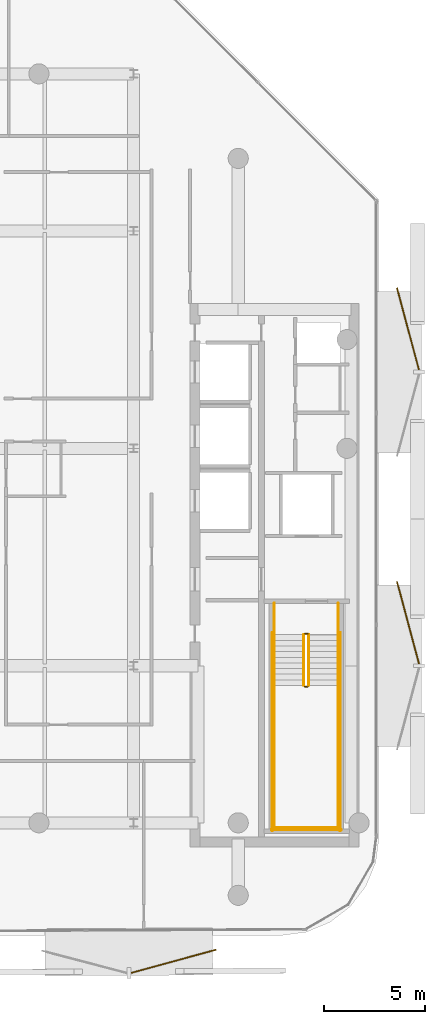
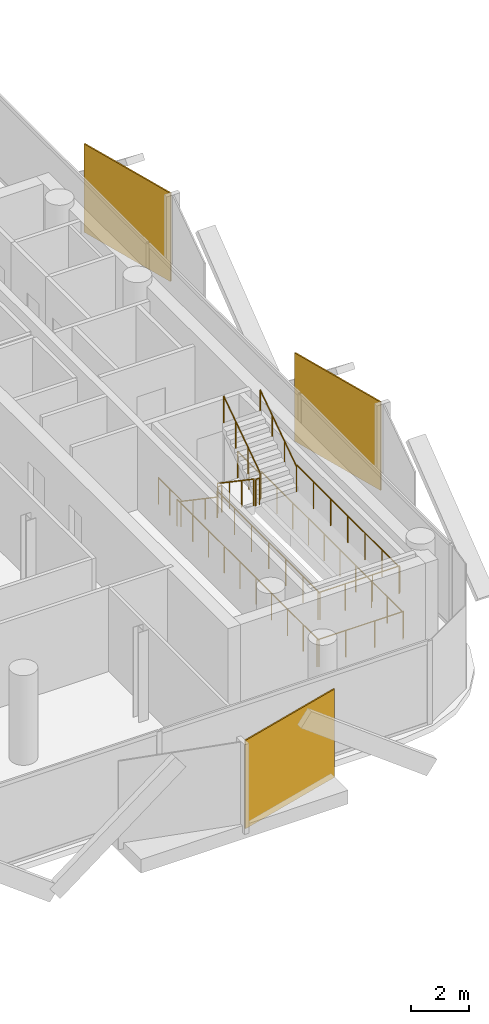
# One storey, part 14 of 15: 14 railings, 3 coverings.
"""IFC4 building model written with IfcOpenShell, lengths in metres."""

from ifc_helpers import new_model, si_unit, direction, frame, origin, origin_2d, place, context, subcontext, project, spatial, rectangle, circle, extrude, material, layer, layer_set, type_object, element, save


model = new_model("IFC4")

# Units and contexts
model_context = context("Model", 3, precision=1e-05, world=origin(), true_north=direction((0.0, 1.0)))
body_context = subcontext(model_context, "Body", "Model", "MODEL_VIEW")
ifc_project = project(units=[si_unit("LENGTHUNIT", "METRE"), si_unit("AREAUNIT", "SQUARE_METRE"), si_unit("VOLUMEUNIT", "CUBIC_METRE"), si_unit("PLANEANGLEUNIT", "RADIAN"), si_unit("MASSUNIT", "GRAM", prefix="KILO")], contexts=[model_context])

# Site, building, storey
site_placement = place(None, origin())
site = spatial("IfcSite", under=ifc_project, at=site_placement, CompositionType="ELEMENT")
building_placement = place(site_placement, origin())
building = spatial("IfcBuilding", under=site, at=building_placement, Name="Khairoan Windgate Tower", CompositionType="ELEMENT")
storey_placement = place(building_placement, frame((0.0, 0.0, 289.0)))
storey = spatial("IfcBuildingStorey", under=building, at=storey_placement, Name="L69", CompositionType="ELEMENT", Elevation=289.0)

# Coverings
ifc_material_1 = material(Name="Anodised Bronze Aluminium 6063-T6", Category="aluminium")
ifc_layer = layer(ifc_material_1, 0.054931640625, Name="Anodised Bronze Aluminium 6063-T6")
ifc_layer_set = layer_set([ifc_layer], Name="Anodised Bronze Aluminium 6063-T6")
covering_type = type_object("IfcCoveringType", Name="Perforated Bronze-Ceramic Folded Solar Screen Cladding BSC-1", PredefinedType="CLADDING", material=ifc_layer_set)
covering_placement = place(storey_placement, frame((11.18115234375, -25.481201171875, -0.10009765625), z_axis=(0.0, 0.0, 1.0), x_axis=(-0.964603458302, -0.263704698919, 0.0)))
element("IfcCovering", 1, at=covering_placement, inside=storey, type_object=covering_type, Name="L69 Folded Bronze Solar Screen Facet 478L", PredefinedType="CLADDING", context=body_context, shape_type="SweptSolid", body=[
    extrude(rectangle(XDim=4.389892578125, YDim=0.054931640625, at=origin_2d()), origin(), (0.0, 0.0, 1.0), 3.739990234375),
])
for number, where, z_axis, x_axis, name in (
    (2, (22.83251953125, 5.921630859375, -0.10009765625), (0.0, 0.0, 1.0), (0.258819045103, -0.965925826289, 0.0), "L69 Folded Bronze Solar Screen Facet 484L"),
    (3, (22.83251953125, -8.664794921875, -0.10009765625), (0.0, 0.0, 1.0), (0.258819045103, -0.965925826289, 0.0), "L69 Folded Bronze Solar Screen Facet 485L"),
):
    element("IfcCovering", number, at=place(storey_placement, frame(where, z_axis=z_axis, x_axis=x_axis)), inside=storey, type_object=covering_type, Name=name, PredefinedType="CLADDING", context=body_context, shape_type="SweptSolid", body=[
        extrude(rectangle(XDim=4.22998046875, YDim=0.054931640625, at=origin_2d()), origin(), (0.0, 0.0, 1.0), 3.739990234375),
    ])

# Railings
ifc_material_2 = material(Name="Anodised Bronze Aluminium 6063-T6", Category="aluminium")
railing_type_1 = type_object("IfcRailingType", Name="Stair Wall Handrail SHR-900", PredefinedType="HANDRAIL", material=ifc_material_2)
railing_1_placement = place(storey_placement, frame((16.199951171875, -9.260009765625, 0.18994140625)))
element("IfcRailing", 4, at=railing_1_placement, inside=storey, type_object=railing_type_1, Name="L69 ST1 stair handrail 1", PredefinedType="HANDRAIL", context=body_context, shape_type="SweptSolid", body=[
    extrude(circle(Radius=0.02392578125, at=origin_2d()), frame((0.0, 0.0, 0.8759765625), z_axis=(0.0, -0.827483756001, 0.561489655786), x_axis=(1.0, 0.0, 0.0)), (0.0, 0.0, 1.0), 3.04541015625),
    extrude(circle(Radius=0.02099609375, at=origin_2d()), origin(), (0.0, 0.0, 1.0), 0.851806640625),
    extrude(circle(Radius=0.02099609375, at=origin_2d()), frame((0.0, -0.840087890625, 0.570068359375)), (0.0, 0.0, 1.0), 0.851806640625),
    extrude(circle(Radius=0.02099609375, at=origin_2d()), frame((0.0, -1.679931640625, 1.139892578125)), (0.0, 0.0, 1.0), 0.851806640625),
    extrude(circle(Radius=0.02099609375, at=origin_2d()), frame((0.0, -2.52001953125, 1.7099609375)), (0.0, 0.0, 1.0), 0.851806640625),
])
railing_2_placement = place(storey_placement, frame((19.3701171875, -11.780029296875, 2.090087890625)))
element("IfcRailing", 5, at=railing_2_placement, inside=storey, type_object=railing_type_1, Name="L69 ST1 stair handrail 2", PredefinedType="HANDRAIL", context=body_context, shape_type="SweptSolid", body=[
    extrude(circle(Radius=0.02392578125, at=origin_2d()), frame((0.0, 0.0, 0.8759765625), z_axis=(0.0, 0.827483756001, 0.561489655786), x_axis=(-1.0, 0.0, 0.0)), (0.0, 0.0, 1.0), 3.04541015625),
    extrude(circle(Radius=0.02099609375, at=origin_2d()), origin(), (0.0, 0.0, 1.0), 0.851806640625),
    extrude(circle(Radius=0.02099609375, at=origin_2d()), frame((0.0, 0.840087890625, 0.570068359375)), (0.0, 0.0, 1.0), 0.851806640625),
    extrude(circle(Radius=0.02099609375, at=origin_2d()), frame((0.0, 1.679931640625, 1.139892578125)), (0.0, 0.0, 1.0), 0.851806640625),
    extrude(circle(Radius=0.02099609375, at=origin_2d()), frame((0.0, 2.52001953125, 1.7099609375)), (0.0, 0.0, 1.0), 0.851806640625),
])
ifc_material_3 = material(Name="Steel S355", Category="steel")
railing_type_2 = type_object("IfcRailingType", Name="Stairwell Safety Guardrail SGR-1150", PredefinedType="GUARDRAIL", material=ifc_material_3)
railing_3_placement = place(storey_placement, frame((17.659912109375, -9.260009765625, 0.18994140625)))
element("IfcRailing", 6, at=railing_3_placement, inside=storey, type_object=railing_type_2, Name="L69 ST1 stair guard 1", PredefinedType="GUARDRAIL", context=body_context, shape_type="SweptSolid", body=[
    extrude(circle(Radius=0.02392578125, at=origin_2d()), frame((0.0, 0.0, 1.1259765625), z_axis=(0.0, -0.827483756001, 0.561489655786), x_axis=(1.0, 0.0, 0.0)), (0.0, 0.0, 1.0), 3.04541015625),
    extrude(circle(Radius=0.02099609375, at=origin_2d()), origin(), (0.0, 0.0, 1.0), 1.101806640625),
    extrude(circle(Radius=0.02099609375, at=origin_2d()), frame((0.0, -0.840087890625, 0.570068359375)), (0.0, 0.0, 1.0), 1.101806640625),
    extrude(circle(Radius=0.02099609375, at=origin_2d()), frame((0.0, -1.679931640625, 1.139892578125)), (0.0, 0.0, 1.0), 1.101806640625),
    extrude(circle(Radius=0.02099609375, at=origin_2d()), frame((0.0, -2.52001953125, 1.7099609375)), (0.0, 0.0, 1.0), 1.101806640625),
])
railing_4_placement = place(storey_placement, frame((17.7099609375, -11.830078125, 1.89990234375)))
element("IfcRailing", 7, at=railing_4_placement, inside=storey, type_object=railing_type_2, Name="L69 ST1 stair guard 2", PredefinedType="GUARDRAIL", context=body_context, shape_type="SweptSolid", body=[
    extrude(circle(Radius=0.02392578125, at=origin_2d()), frame((0.0, 0.0, 1.1259765625), z_axis=(1.0, 0.0, 0.0), x_axis=(0.0, 1.0, 0.0)), (0.0, 0.0, 1.0), 0.150146484375),
    extrude(circle(Radius=0.02099609375, at=origin_2d()), origin(), (0.0, 0.0, 1.0), 1.101806640625),
    extrude(circle(Radius=0.02099609375, at=origin_2d()), frame((0.150146484375, 0.0, 0.0)), (0.0, 0.0, 1.0), 1.101806640625),
])
for number, where, name in (
    (8, (16.199951171875, -11.780029296875, 1.89990234375), "L69 ST1 stair guard 3"),
    (9, (19.3701171875, -11.780029296875, 1.89990234375), "L69 ST1 stair guard 4"),
):
    element("IfcRailing", number, at=place(storey_placement, frame(where)), inside=storey, type_object=railing_type_2, Name=name, PredefinedType="GUARDRAIL", context=body_context, shape_type="SweptSolid", body=[
        extrude(circle(Radius=0.02392578125, at=origin_2d()), frame((0.0, 0.0, 1.1259765625), z_axis=(0.0, -1.0, 0.0), x_axis=(1.0, 0.0, 0.0)), (0.0, 0.0, 1.0), 7.119873046875),
        extrude(circle(Radius=0.02099609375, at=origin_2d()), origin(), (0.0, 0.0, 1.0), 1.101806640625),
        extrude(circle(Radius=0.02099609375, at=origin_2d()), frame((0.0, -1.1865234375, 0.0)), (0.0, 0.0, 1.0), 1.101806640625),
        extrude(circle(Radius=0.02099609375, at=origin_2d()), frame((0.0, -2.373291015625, 0.0)), (0.0, 0.0, 1.0), 1.101806640625),
        extrude(circle(Radius=0.02099609375, at=origin_2d()), frame((0.0, -3.56005859375, 0.0)), (0.0, 0.0, 1.0), 1.101806640625),
        extrude(circle(Radius=0.02099609375, at=origin_2d()), frame((0.0, -4.74658203125, 0.0)), (0.0, 0.0, 1.0), 1.101806640625),
        extrude(circle(Radius=0.02099609375, at=origin_2d()), frame((0.0, -5.93310546875, 0.0)), (0.0, 0.0, 1.0), 1.101806640625),
        extrude(circle(Radius=0.02099609375, at=origin_2d()), frame((0.0, -7.119873046875, 0.0)), (0.0, 0.0, 1.0), 1.101806640625),
    ])
railing_5_placement = place(storey_placement, frame((16.14990234375, -18.85009765625, 1.89990234375)))
element("IfcRailing", 10, at=railing_5_placement, inside=storey, type_object=railing_type_2, Name="L69 ST1 stair guard 5", PredefinedType="GUARDRAIL", context=body_context, shape_type="SweptSolid", body=[
    extrude(circle(Radius=0.02392578125, at=origin_2d()), frame((0.0, 0.0, 1.1259765625), z_axis=(1.0, 0.0, 0.0), x_axis=(0.0, 1.0, 0.0)), (0.0, 0.0, 1.0), 3.27001953125),
    extrude(circle(Radius=0.02099609375, at=origin_2d()), origin(), (0.0, 0.0, 1.0), 1.101806640625),
    extrude(circle(Radius=0.02099609375, at=origin_2d()), frame((1.090087890625, 0.0, 0.0)), (0.0, 0.0, 1.0), 1.101806640625),
    extrude(circle(Radius=0.02099609375, at=origin_2d()), frame((2.179931640625, 0.0, 0.0)), (0.0, 0.0, 1.0), 1.101806640625),
    extrude(circle(Radius=0.02099609375, at=origin_2d()), frame((3.27001953125, 0.0, 0.0)), (0.0, 0.0, 1.0), 1.101806640625),
])
railing_6_placement = place(storey_placement, frame((17.909912109375, -11.780029296875, 2.090087890625)))
element("IfcRailing", 11, at=railing_6_placement, inside=storey, type_object=railing_type_2, Name="L69 ST1 stair guard 6", PredefinedType="GUARDRAIL", context=body_context, shape_type="SweptSolid", body=[
    extrude(circle(Radius=0.02392578125, at=origin_2d()), frame((0.0, 0.0, 1.1259765625), z_axis=(0.0, 0.827483756001, 0.561489655786), x_axis=(-1.0, 0.0, 0.0)), (0.0, 0.0, 1.0), 3.04541015625),
    extrude(circle(Radius=0.02099609375, at=origin_2d()), origin(), (0.0, 0.0, 1.0), 1.101806640625),
    extrude(circle(Radius=0.02099609375, at=origin_2d()), frame((0.0, 0.840087890625, 0.570068359375)), (0.0, 0.0, 1.0), 1.101806640625),
    extrude(circle(Radius=0.02099609375, at=origin_2d()), frame((0.0, 1.679931640625, 1.139892578125)), (0.0, 0.0, 1.0), 1.101806640625),
    extrude(circle(Radius=0.02099609375, at=origin_2d()), frame((0.0, 2.52001953125, 1.7099609375)), (0.0, 0.0, 1.0), 1.101806640625),
])
railing_7_placement = place(storey_placement, frame((17.7099609375, -9.2099609375, 0.0)))
element("IfcRailing", 12, at=railing_7_placement, inside=storey, type_object=railing_type_2, Name="L69 ST1 stair guard 7", PredefinedType="GUARDRAIL", context=body_context, shape_type="SweptSolid", body=[
    extrude(circle(Radius=0.02392578125, at=origin_2d()), frame((0.0, 0.0, 1.1259765625), z_axis=(1.0, 0.0, 0.0), x_axis=(0.0, 1.0, 0.0)), (0.0, 0.0, 1.0), 0.150146484375),
    extrude(circle(Radius=0.02099609375, at=origin_2d()), origin(), (0.0, 0.0, 1.0), 1.101806640625),
    extrude(circle(Radius=0.02099609375, at=origin_2d()), frame((0.150146484375, 0.0, 0.0)), (0.0, 0.0, 1.0), 1.101806640625),
])
for number, where, name in (
    (13, (16.199951171875, -7.699951171875, 0.0), "L69 ST1 stair guard 8"),
    (14, (19.3701171875, -7.699951171875, 0.0), "L69 ST1 stair guard 9"),
):
    element("IfcRailing", number, at=place(storey_placement, frame(where)), inside=storey, type_object=railing_type_2, Name=name, PredefinedType="GUARDRAIL", context=body_context, shape_type="SweptSolid", body=[
        extrude(circle(Radius=0.02392578125, at=origin_2d()), frame((0.0, 0.0, 1.1259765625), z_axis=(0.0, -1.0, 0.0), x_axis=(1.0, 0.0, 0.0)), (0.0, 0.0, 1.0), 1.56005859375),
        extrude(circle(Radius=0.02099609375, at=origin_2d()), origin(), (0.0, 0.0, 1.0), 1.101806640625),
        extrude(circle(Radius=0.02099609375, at=origin_2d()), frame((0.0, -0.780029296875, 0.0)), (0.0, 0.0, 1.0), 1.101806640625),
        extrude(circle(Radius=0.02099609375, at=origin_2d()), frame((0.0, -1.56005859375, 0.0)), (0.0, 0.0, 1.0), 1.101806640625),
    ])
for number, where, name in (
    (15, (16.10009765625, -9.159912109375, 0.0), "L69 ST1 stair guard 10"),
    (16, (19.469970703125, -9.159912109375, 0.0), "L69 ST1 stair guard 11"),
):
    element("IfcRailing", number, at=place(storey_placement, frame(where)), inside=storey, type_object=railing_type_2, Name=name, PredefinedType="GUARDRAIL", context=body_context, shape_type="SweptSolid", body=[
        extrude(circle(Radius=0.02392578125, at=origin_2d()), frame((0.0, 0.0, 1.1259765625), z_axis=(0.0, -1.0, 0.0), x_axis=(1.0, 0.0, 0.0)), (0.0, 0.0, 1.0), 9.840087890625),
        extrude(circle(Radius=0.02099609375, at=origin_2d()), origin(), (0.0, 0.0, 1.0), 1.101806640625),
        extrude(circle(Radius=0.02099609375, at=origin_2d()), frame((0.0, -1.09326171875, 0.0)), (0.0, 0.0, 1.0), 1.101806640625),
        extrude(circle(Radius=0.02099609375, at=origin_2d()), frame((0.0, -2.186767578125, 0.0)), (0.0, 0.0, 1.0), 1.101806640625),
        extrude(circle(Radius=0.02099609375, at=origin_2d()), frame((0.0, -3.280029296875, 0.0)), (0.0, 0.0, 1.0), 1.101806640625),
        extrude(circle(Radius=0.02099609375, at=origin_2d()), frame((0.0, -4.373291015625, 0.0)), (0.0, 0.0, 1.0), 1.101806640625),
        extrude(circle(Radius=0.02099609375, at=origin_2d()), frame((0.0, -5.466796875, 0.0)), (0.0, 0.0, 1.0), 1.101806640625),
        extrude(circle(Radius=0.02099609375, at=origin_2d()), frame((0.0, -6.56005859375, 0.0)), (0.0, 0.0, 1.0), 1.101806640625),
        extrude(circle(Radius=0.02099609375, at=origin_2d()), frame((0.0, -7.6533203125, 0.0)), (0.0, 0.0, 1.0), 1.101806640625),
        extrude(circle(Radius=0.02099609375, at=origin_2d()), frame((0.0, -8.746826171875, 0.0)), (0.0, 0.0, 1.0), 1.101806640625),
        extrude(circle(Radius=0.02099609375, at=origin_2d()), frame((0.0, -9.840087890625, 0.0)), (0.0, 0.0, 1.0), 1.101806640625),
    ])
railing_8_placement = place(storey_placement, frame((16.050048828125, -18.949951171875, 0.0)))
element("IfcRailing", 17, at=railing_8_placement, inside=storey, type_object=railing_type_2, Name="L69 ST1 stair guard 12", PredefinedType="GUARDRAIL", context=body_context, shape_type="SweptSolid", body=[
    extrude(circle(Radius=0.02392578125, at=origin_2d()), frame((0.0, 0.0, 1.1259765625), z_axis=(1.0, 0.0, 0.0), x_axis=(0.0, 1.0, 0.0)), (0.0, 0.0, 1.0), 3.469970703125),
    extrude(circle(Radius=0.02099609375, at=origin_2d()), origin(), (0.0, 0.0, 1.0), 1.101806640625),
    extrude(circle(Radius=0.02099609375, at=origin_2d()), frame((1.15673828125, 0.0, 0.0)), (0.0, 0.0, 1.0), 1.101806640625),
    extrude(circle(Radius=0.02099609375, at=origin_2d()), frame((2.313232421875, 0.0, 0.0)), (0.0, 0.0, 1.0), 1.101806640625),
    extrude(circle(Radius=0.02099609375, at=origin_2d()), frame((3.469970703125, 0.0, 0.0)), (0.0, 0.0, 1.0), 1.101806640625),
])

save(model, "model.ifc")
